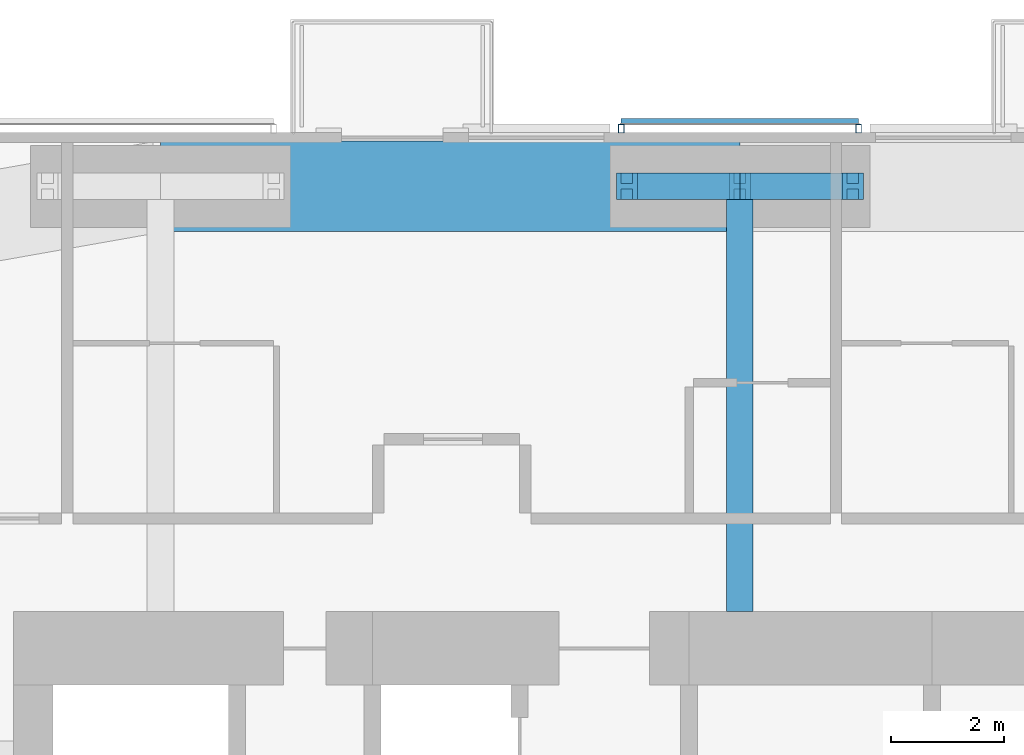
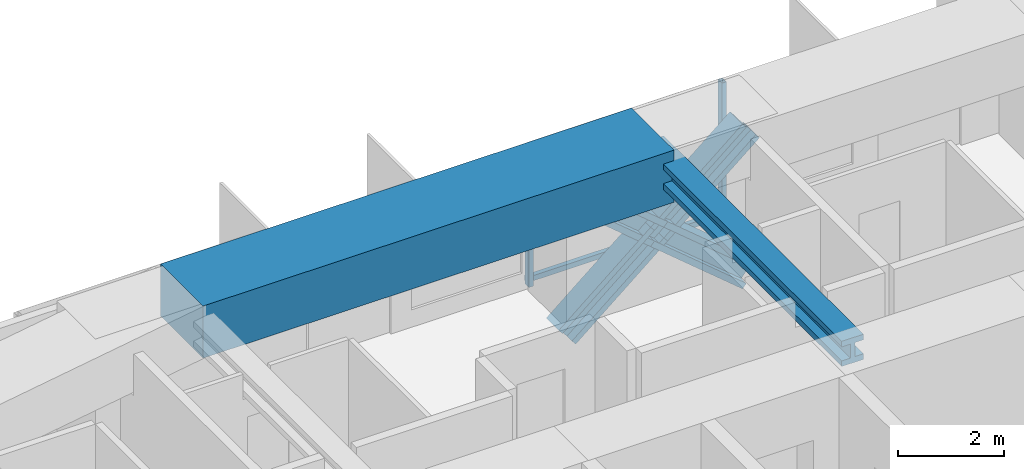
# One storey, part 11 of 23: 7 members, 2 beams, 1 element without a shape of its own.
"""IFC4 building model written with IfcOpenShell, lengths in metres."""

from ifc_helpers import new_model, si_unit, direction, frame, origin, origin_2d, place, context, subcontext, project, spatial, rectangle, hollow_rectangle, i_section, extrude, material, material_profile, profile_set, type_object, element, aggregate, save


model = new_model("IFC4")

# Units and contexts
model_context = context("Model", 3, precision=1e-05, world=origin(), true_north=direction((0.0, 1.0)))
body_context = subcontext(model_context, "Body", "Model", "MODEL_VIEW")
ifc_project = project(units=[si_unit("LENGTHUNIT", "METRE"), si_unit("AREAUNIT", "SQUARE_METRE"), si_unit("VOLUMEUNIT", "CUBIC_METRE"), si_unit("PLANEANGLEUNIT", "RADIAN"), si_unit("MASSUNIT", "GRAM", prefix="KILO")], contexts=[model_context])

# Site, building, storey
site_placement = place(None, origin())
site = spatial("IfcSite", under=ifc_project, at=site_placement, CompositionType="ELEMENT")
building_placement = place(site_placement, origin())
building = spatial("IfcBuilding", under=site, at=building_placement, Name="Jalousie Tower", CompositionType="ELEMENT")
storey_placement = place(building_placement, frame((0.0, 0.0, 157.699951171875)))
storey = spatial("IfcBuildingStorey", under=building, at=storey_placement, Name="L42", CompositionType="ELEMENT", Elevation=157.699951171875)

# Beam
ifc_material_1 = material(Name="Steel ASTM A992 Grade 50", Category="steel")
ifc_material_profile_1 = material_profile(ifc_material_1, i_section(OverallWidth=0.472412109375, OverallDepth=0.5791015625, WebThickness=0.094970703125, FlangeThickness=0.1298828125, at=origin_2d()), Name="W14X808")
ifc_profile_set_1 = profile_set([ifc_material_profile_1], Name="Steel ASTM A992 Grade 50")
beam_type_1 = type_object("IfcBeamType", Name="LEAN COLLECTOR W14X808", PredefinedType="BEAM", material=ifc_profile_set_1)
beam_1_placement = place(storey_placement, frame((32.5, 35.050048828125, 2.820556640625), z_axis=(0.0, -1.0, 0.0), x_axis=(1.0, 0.0, 0.0)))
element("IfcBeam", 1, at=beam_1_placement, inside=storey, type_object=beam_type_1, Name="Lean collector under L43", PredefinedType="BEAM", context=body_context, shape_type="SweptSolid", body=[
    extrude(i_section(OverallWidth=0.472412109375, OverallDepth=0.5791015625, WebThickness=0.094970703125, FlangeThickness=0.1298828125, at=origin_2d()), origin(), (0.0, 0.0, 1.0), 7.525146484375),
])

# Members
ifc_material_2 = material(Name="Steel ASTM A992 Grade 50", Category="steel")
ifc_material_profile_2 = material_profile(ifc_material_2, i_section(OverallWidth=0.472412109375, OverallDepth=0.5791015625, WebThickness=0.094970703125, FlangeThickness=0.1298828125, at=origin_2d()), Name="W14X808")
ifc_profile_set_2 = profile_set([ifc_material_profile_2], Name="Steel ASTM A992 Grade 50")
member_type_1 = type_object("IfcMemberType", Name="PERIMETER BRACE W14X808", PredefinedType="BRACE", material=ifc_profile_set_2)
member_1_placement = place(storey_placement, frame((30.5, 35.050048828125, -0.599853515625), z_axis=(0.766684820047, 0.0, 0.642023665225), x_axis=(0.0, 1.0, 0.0)))
element("IfcMember", 2, at=member_1_placement, inside=storey, type_object=member_type_1, Name="Perimeter brace 10 L42 part 1", PredefinedType="BRACE", context=body_context, shape_type="SweptSolid", body=[
    extrude(i_section(OverallWidth=0.472412109375, OverallDepth=0.5791015625, WebThickness=0.094970703125, FlangeThickness=0.1298828125, at=origin_2d()), origin(), (0.0, 0.0, 1.0), 2.608642578125),
])
member_2_placement = place(storey_placement, frame((32.5, 35.050048828125, 1.074951171875), z_axis=(0.766638753323, 0.0, 0.642078672674), x_axis=(0.0, 1.0, 0.0)))
element("IfcMember", 3, at=member_2_placement, inside=storey, type_object=member_type_1, Name="Perimeter brace 10 L42 part 2", PredefinedType="BRACE", context=body_context, shape_type="SweptSolid", body=[
    extrude(i_section(OverallWidth=0.472412109375, OverallDepth=0.5791015625, WebThickness=0.094970703125, FlangeThickness=0.1298828125, at=origin_2d()), origin(), (0.0, 0.0, 1.0), 2.60888671875),
])
member_3_placement = place(storey_placement, frame((34.5, 35.050048828125, -0.599853515625), z_axis=(-0.766684820047, 0.0, 0.642023665225), x_axis=(0.0, -1.0, 0.0)))
element("IfcMember", 4, at=member_3_placement, inside=storey, type_object=member_type_1, Name="Perimeter brace 10 L42 part 3", PredefinedType="BRACE", context=body_context, shape_type="SweptSolid", body=[
    extrude(i_section(OverallWidth=0.472412109375, OverallDepth=0.5791015625, WebThickness=0.094970703125, FlangeThickness=0.1298828125, at=origin_2d()), origin(), (0.0, 0.0, 1.0), 2.608642578125),
])
member_4_placement = place(storey_placement, frame((32.5, 35.050048828125, 1.074951171875), z_axis=(-0.766638753323, 0.0, 0.642078672674), x_axis=(0.0, -1.0, 0.0)))
element("IfcMember", 5, at=member_4_placement, inside=storey, type_object=member_type_1, Name="Perimeter brace 10 L42 part 4", PredefinedType="BRACE", context=body_context, shape_type="SweptSolid", body=[
    extrude(i_section(OverallWidth=0.472412109375, OverallDepth=0.5791015625, WebThickness=0.094970703125, FlangeThickness=0.1298828125, at=origin_2d()), origin(), (0.0, 0.0, 1.0), 2.60888671875),
])

# Beam
ifc_material_3 = material(Name="Concrete f'c 40 MPa", Category="concrete")
ifc_material_profile_3 = material_profile(ifc_material_3, rectangle(XDim=1.60009765625, YDim=1.199951171875, at=origin_2d()), Name="RC 1600x1200")
ifc_profile_set_3 = profile_set([ifc_material_profile_3], Name="Concrete f'c 40 MPa")
beam_type_2 = type_object("IfcBeamType", Name="RC BEAM 1600x1200", PredefinedType="BEAM", material=ifc_profile_set_3)
beam_2_placement = place(storey_placement, frame((32.5, 35.050048828125, 2.75), z_axis=(-1.0, 0.0, 0.0), x_axis=(0.0, -1.0, 0.0)))
element("IfcBeam", 6, at=beam_2_placement, inside=storey, type_object=beam_type_2, Name="Edge band beam 10-11 under L43", PredefinedType="BEAM", context=body_context, shape_type="SweptSolid", body=[
    extrude(rectangle(XDim=1.60009765625, YDim=1.199951171875, at=origin_2d()), origin(), (0.0, 0.0, 1.0), 10.25),
])

# Curtain wall, members
ifc_material_4 = material(Name="Perforated aluminium sheet", Category="aluminium")
curtain_wall_type = type_object("IfcCurtainWallType", Name="SOLAR SCREEN SS-1", PredefinedType="USERDEFINED", material=ifc_material_4)
curtain_wall_placement = place(storey_placement, origin())
curtain_wall = element("IfcCurtainWall", 7, at=curtain_wall_placement, inside=storey, type_object=curtain_wall_type, Name="Solar screen L42", ObjectType="SOLAR SCREEN SS-1", PredefinedType="USERDEFINED")
ifc_material_5 = material(Name="Steel ASTM A500 Grade C", Category="steel")
ifc_material_profile_4 = material_profile(ifc_material_5, hollow_rectangle(XDim=0.1015625, YDim=0.15234375, WallThickness=0.00634765625, at=origin_2d()), Name="HSS6X4X1/4")
ifc_profile_set_4 = profile_set([ifc_material_profile_4], Name="Steel ASTM A500 Grade C")
member_type_2 = type_object("IfcMemberType", Name="SOLAR SCREEN SS-1 MULLION", PredefinedType="MULLION", material=ifc_profile_set_4)
member_5_placement = place(storey_placement, frame((34.60009765625, 36.0712890625, -0.119873046875), z_axis=(0.0, 0.0, 1.0), x_axis=(-1.0, 0.0, 0.0)))
member_5 = element("IfcMember", 8, at=member_5_placement, type_object=member_type_2, Name="SS1 post 1", PredefinedType="MULLION", context=body_context, shape_type="SweptSolid", body=[
    extrude(hollow_rectangle(XDim=0.1015625, YDim=0.15234375, WallThickness=0.00634765625, at=origin_2d()), origin(), (0.0, 0.0, 1.0), 3.22998046875),
])
member_6_placement = place(storey_placement, frame((30.39990234375, 36.0712890625, -0.119873046875), z_axis=(0.0, 0.0, 1.0), x_axis=(-1.0, 0.0, 0.0)))
member_6 = element("IfcMember", 9, at=member_6_placement, type_object=member_type_2, Name="SS1 post 2", PredefinedType="MULLION", context=body_context, shape_type="SweptSolid", body=[
    extrude(hollow_rectangle(XDim=0.1015625, YDim=0.15234375, WallThickness=0.00634765625, at=origin_2d()), origin(), (0.0, 0.0, 1.0), 3.22998046875),
])
ifc_material_6 = material(Name="Extruded aluminium screen rail", Category="aluminium")
ifc_material_profile_5 = material_profile(ifc_material_6, rectangle(XDim=0.1015625, YDim=0.1201171875, at=origin_2d()), Name="RAIL 102x120")
ifc_profile_set_5 = profile_set([ifc_material_profile_5], Name="Extruded aluminium screen rail")
member_type_3 = type_object("IfcMemberType", Name="SOLAR SCREEN SS-1 TRANSOM", PredefinedType="USERDEFINED", material=ifc_profile_set_5)
member_7_placement = place(storey_placement, frame((34.60009765625, 36.1982421875, -0.06005859375), z_axis=(-1.0, 0.0, 0.0), x_axis=(0.0, -1.0, 0.0)))
member_7 = element("IfcMember", 10, at=member_7_placement, type_object=member_type_3, Name="SS1 rail", ObjectType="TRANSOM", PredefinedType="USERDEFINED", context=body_context, shape_type="SweptSolid", body=[
    extrude(rectangle(XDim=0.1015625, YDim=0.1201171875, at=origin_2d()), origin(), (0.0, 0.0, 1.0), 4.2001953125),
])
aggregate(curtain_wall, [member_5, member_6, member_7])

save(model, "model.ifc")
